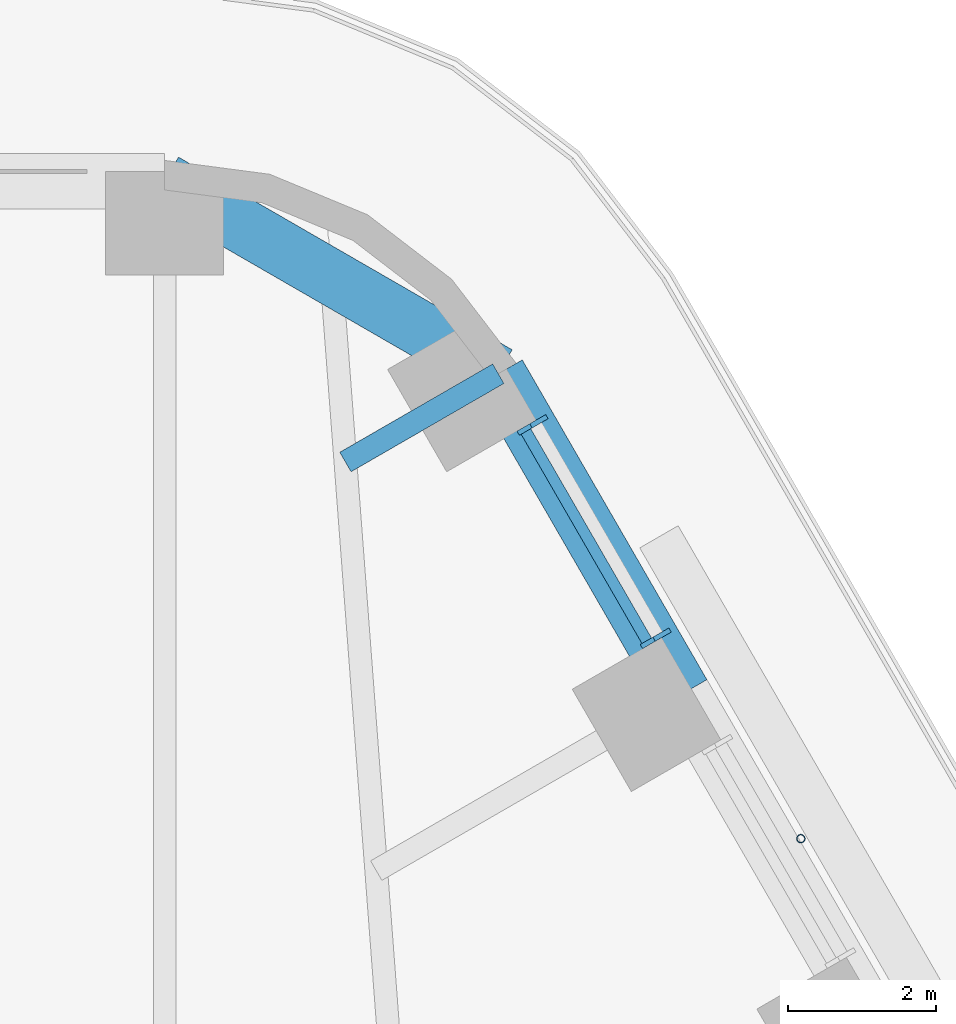
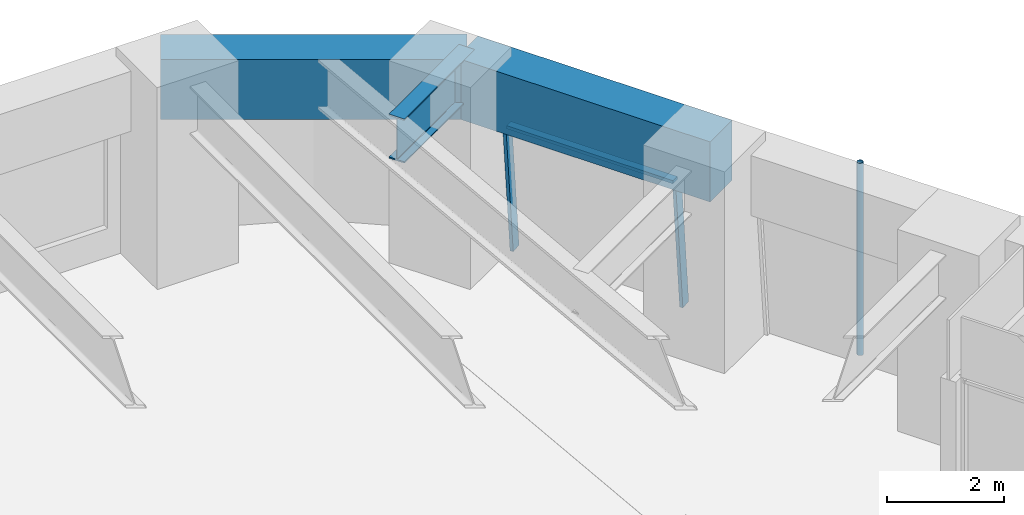
# One storey, part 13 of 24: 4 members, 3 beams, 1 element without a shape of its own.
"""IFC4 building model written with IfcOpenShell, lengths in metres."""

from ifc_helpers import new_model, si_unit, direction, frame, origin, origin_2d, place, context, subcontext, project, spatial, rectangle, hollow_circle, i_section, extrude, material, material_profile, profile_set, type_object, element, aggregate, save


model = new_model("IFC4")

# Units and contexts
model_context = context("Model", 3, precision=1e-05, world=origin(), true_north=direction((0.0, 1.0)))
body_context = subcontext(model_context, "Body", "Model", "MODEL_VIEW")
ifc_project = project(units=[si_unit("LENGTHUNIT", "METRE"), si_unit("AREAUNIT", "SQUARE_METRE"), si_unit("VOLUMEUNIT", "CUBIC_METRE"), si_unit("PLANEANGLEUNIT", "RADIAN"), si_unit("MASSUNIT", "GRAM", prefix="KILO")], contexts=[model_context])

# Site, building, storey
site_placement = place(None, origin())
site = spatial("IfcSite", under=ifc_project, at=site_placement, CompositionType="ELEMENT")
building_placement = place(site_placement, origin())
building = spatial("IfcBuilding", under=site, at=building_placement, Name="Tarfa Lantern Tower", CompositionType="ELEMENT")
storey_placement = place(building_placement, frame((0.0, 0.0, 169.89990234375)))
storey = spatial("IfcBuildingStorey", under=building, at=storey_placement, Name="L38", CompositionType="ELEMENT", Elevation=169.89990234375)

# Curtain wall, members
ifc_material_1 = material(Name="Aluminium framed curtain wall", Category="aluminium")
curtain_wall_type = type_object("IfcCurtainWallType", Name="CW2 CANTED GLAZING MID ZONE 2750", PredefinedType="USERDEFINED", material=ifc_material_1)
curtain_wall_placement = place(storey_placement, origin())
curtain_wall = element("IfcCurtainWall", 1, at=curtain_wall_placement, inside=storey, type_object=curtain_wall_type, Name="CW2 NEB L38", ObjectType="CURTAIN WALL", PredefinedType="USERDEFINED")
ifc_material_2 = material(Name="Aluminium mullion", Category="aluminium")
ifc_material_profile_1 = material_profile(ifc_material_2, rectangle(XDim=0.06494140625, YDim=0.199951171875, at=origin_2d()), Name="AL MULLION 65x200")
ifc_profile_set_1 = profile_set([ifc_material_profile_1], Name="Aluminium mullion")
member_type_1 = type_object("IfcMemberType", Name="CWM1 MULLION 65x200", PredefinedType="MULLION", material=ifc_profile_set_1)
member_1_placement = place(storey_placement, frame((21.773193359375, 25.087646484375, 0.0), z_axis=(-0.078422950161, -0.045267813396, 0.995891894715), x_axis=(0.499919672301, -0.866071776036, 0.0)))
member_1 = element("IfcMember", 2, at=member_1_placement, type_object=member_type_1, Name="CW2 mullion 1", PredefinedType="MULLION", context=body_context, shape_type="SweptSolid", body=[
    extrude(rectangle(XDim=0.06494140625, YDim=0.199951171875, at=origin_2d()), origin(), (0.0, 0.0, 1.0), 2.76123046875),
])
member_2_placement = place(storey_placement, frame((20.10400390625, 27.97900390625, 0.0), z_axis=(-0.078422950161, -0.045267813396, 0.995891894715), x_axis=(0.499919672301, -0.866071776036, 0.0)))
member_2 = element("IfcMember", 3, at=member_2_placement, type_object=member_type_1, Name="CW2 mullion 2", PredefinedType="MULLION", context=body_context, shape_type="SweptSolid", body=[
    extrude(rectangle(XDim=0.06494140625, YDim=0.199951171875, at=origin_2d()), origin(), (0.0, 0.0, 1.0), 2.76123046875),
])
ifc_material_3 = material(Name="Aluminium transom", Category="aluminium")
ifc_material_profile_2 = material_profile(ifc_material_3, rectangle(XDim=0.14990234375, YDim=0.06494140625, at=origin_2d()), Name="AL TRANSOM 150x65")
ifc_profile_set_2 = profile_set([ifc_material_profile_2], Name="Aluminium transom")
member_type_2 = type_object("IfcMemberType", Name="CWT1 TRANSOM 150x65", PredefinedType="USERDEFINED", material=ifc_profile_set_2)
member_3_placement = place(storey_placement, frame((21.54296875, 24.9921875, 2.717529296875), z_axis=(-0.499957005835, 0.866050225054, 0.0), x_axis=(-0.866050225054, -0.499957005835, 0.0)))
member_3 = element("IfcMember", 4, at=member_3_placement, type_object=member_type_2, Name="CW2 transom 1.2", ObjectType="TRANSOM", PredefinedType="USERDEFINED", context=body_context, shape_type="SweptSolid", body=[
    extrude(rectangle(XDim=0.14990234375, YDim=0.06494140625, at=origin_2d()), origin(), (0.0, 0.0, 1.0), 3.273681640625),
])
aggregate(curtain_wall, [member_1, member_2, member_3])

# Beams
ifc_material_4 = material(Name="Concrete C80/95", Category="concrete")
ifc_material_profile_3 = material_profile(ifc_material_4, rectangle(XDim=0.75, YDim=1.25, at=origin_2d()), Name="RC 750x1250")
ifc_profile_set_3 = profile_set([ifc_material_profile_3], Name="Concrete C80/95")
beam_type_1 = type_object("IfcBeamType", Name="EB2 RC 750x1250", PredefinedType="SPANDREL", material=ifc_profile_set_3)
beam_1_placement = place(storey_placement, frame((22.03369140625, 24.276611328125, 3.375), z_axis=(-0.500001197378, 0.866024712477, 0.0), x_axis=(-0.866024712477, -0.500001197378, 0.0)))
element("IfcBeam", 5, at=beam_1_placement, inside=storey, type_object=beam_type_1, Name="Edge beam NE5", PredefinedType="SPANDREL", context=body_context, shape_type="SweptSolid", body=[
    extrude(rectangle(XDim=0.75, YDim=1.25, at=origin_2d()), origin(), (0.0, 0.0, 1.0), 5.00390625),
])
beam_2_placement = place(storey_placement, frame((19.53173828125, 28.610107421875, 3.375), z_axis=(-0.86604150238, 0.499972115377, 0.0), x_axis=(-0.499972115377, -0.86604150238, 0.0)))
element("IfcBeam", 6, at=beam_2_placement, inside=storey, type_object=beam_type_1, Name="Edge beam NE6", PredefinedType="SPANDREL", context=body_context, shape_type="SweptSolid", body=[
    extrude(rectangle(XDim=0.75, YDim=1.25, at=origin_2d()), origin(), (0.0, 0.0, 1.0), 5.219970703125),
])

# Member
ifc_material_5 = material(Name="Steel S355", Category="steel")
ifc_material_profile_4 = material_profile(ifc_material_5, hollow_circle(Radius=0.05712890625, WallThickness=0.00634765625, at=origin_2d()), Name="CHS114.3x6.3")
ifc_profile_set_4 = profile_set([ifc_material_profile_4], Name="Steel S355")
member_type_3 = type_object("IfcMemberType", Name="TR1 GREEN WALL TRELLIS CHS114.3x6.3", PredefinedType="USERDEFINED", material=ifc_profile_set_4)
member_4_placement = place(storey_placement, frame((23.630859375, 22.31005859375, 0.0), z_axis=(0.0, 0.0, 1.0), x_axis=(1.0, 0.0, 0.0)))
element("IfcMember", 7, at=member_4_placement, inside=storey, type_object=member_type_3, Name="Trellis post NE 2", ObjectType="TRELLIS", PredefinedType="USERDEFINED", context=body_context, shape_type="SweptSolid", body=[
    extrude(hollow_circle(Radius=0.05712890625, WallThickness=0.00634765625, at=origin_2d()), origin(), (0.0, 0.0, 1.0), 4.0),
])

# Beam
ifc_material_6 = material(Name="Steel S460M", Category="steel")
ifc_material_profile_5 = material_profile(ifc_material_6, i_section(OverallWidth=0.305419921875, OverallDepth=0.91845703125, WebThickness=0.017333984375, FlangeThickness=0.02783203125, FilletRadius=0.01904296875, at=origin_2d()), Name="UB914x305x253")
ifc_profile_set_5 = profile_set([ifc_material_profile_5], Name="Steel S460M")
beam_type_2 = type_object("IfcBeamType", Name="UB914x305x253", PredefinedType="BEAM", material=ifc_profile_set_5)
beam_3_placement = place(storey_placement, frame((19.53173828125, 28.610107421875, 3.541015625), z_axis=(-0.865998640954, -0.500046351717, 0.0), x_axis=(0.500046351717, -0.865998640954, 0.0)))
element("IfcBeam", 8, at=beam_3_placement, inside=storey, type_object=beam_type_2, Name="Floor beam NE6", PredefinedType="BEAM", context=body_context, shape_type="SweptSolid", body=[
    extrude(i_section(OverallWidth=0.305419921875, OverallDepth=0.91845703125, WebThickness=0.017333984375, FlangeThickness=0.02783203125, FilletRadius=0.01904296875, at=origin_2d()), origin(), (0.0, 0.0, 1.0), 2.392333984375),
])

save(model, "model.ifc")
